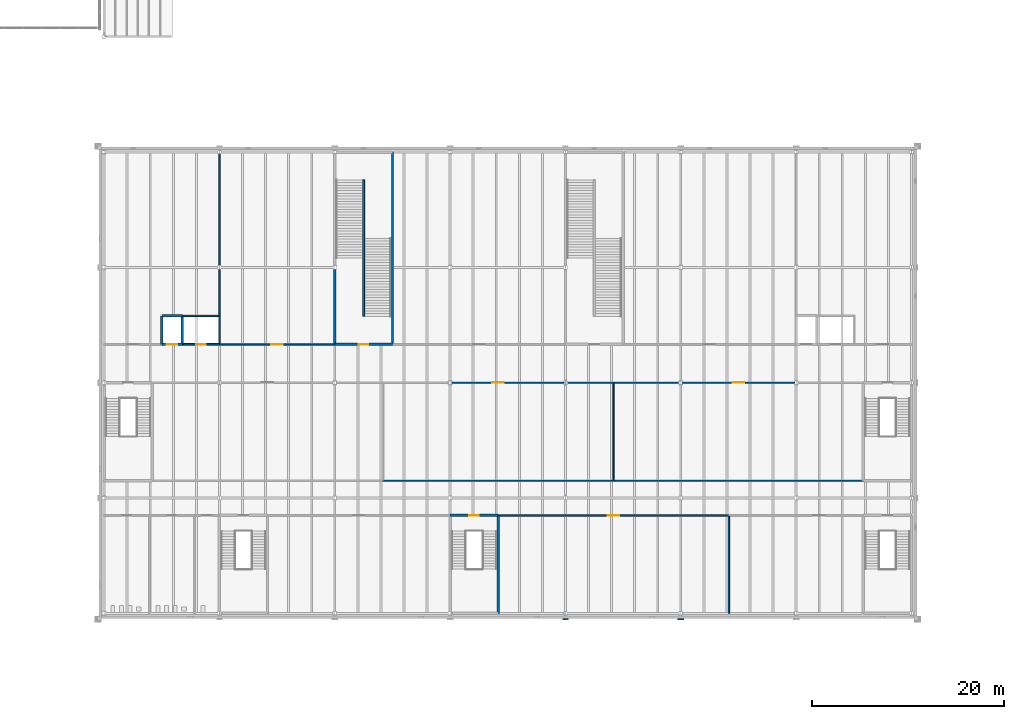
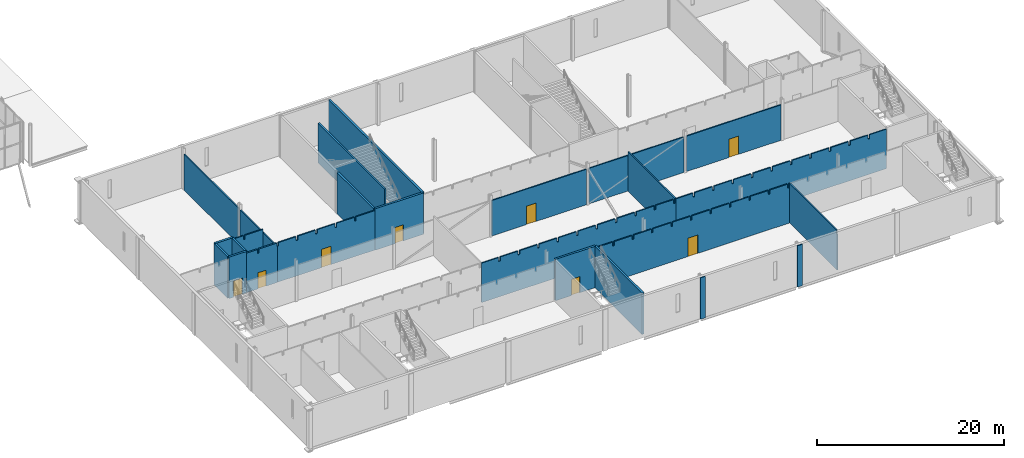
# One storey, part 105 of 170: 27 walls, 8 doors, 8 openings.
"""IFC4 building model written with IfcOpenShell, lengths in metres."""

from ifc_helpers import new_model, si_unit, direction, frame, frame_2d, origin, place, context, subcontext, project, spatial, polyline, rectangle, outline, extrude, material, layer, layer_set, type_object, element, fill, save


model = new_model("IFC4")

# Units and contexts
model_context = context("Model", 3, precision=1e-05, world=origin(), true_north=direction((0.0, 1.0)))
body_context = subcontext(model_context, "Body", "Model", "MODEL_VIEW")
ifc_project = project(units=[si_unit("LENGTHUNIT", "METRE"), si_unit("AREAUNIT", "SQUARE_METRE"), si_unit("VOLUMEUNIT", "CUBIC_METRE"), si_unit("PLANEANGLEUNIT", "RADIAN"), si_unit("MASSUNIT", "GRAM", prefix="KILO")], contexts=[model_context])

# Site, building, storey
site_placement = place(None, origin())
site = spatial("IfcSite", under=ifc_project, at=site_placement, CompositionType="ELEMENT")
building_placement = place(site_placement, origin())
building = spatial("IfcBuilding", under=site, at=building_placement, Name="Ravi Spectrum Wholesale Market", CompositionType="ELEMENT")
storey_placement = place(building_placement, frame((0.0, 0.0, 5.39990234375)))
storey = spatial("IfcBuildingStorey", under=building, at=storey_placement, Name="L01", CompositionType="ELEMENT", Elevation=5.39990234375)

# Wall, opening, door
ifc_material_1 = material(Name="Concrete blockwork", Category="masonry")
ifc_layer_1 = layer(ifc_material_1, 0.199951171875)
ifc_layer_set_1 = layer_set([ifc_layer_1], Name="Concrete blockwork")
wall_type_1 = type_object("IfcWallType", Name="Blockwork partition 200 fire", PredefinedType="PARTITIONING", material=ifc_layer_set_1)
wall_1_placement = place(storey_placement, frame((206.14990234375, 46.0, 0.0), z_axis=(0.0, 0.0, 1.0), x_axis=(1.0, 0.0, 0.0)))
wall_1 = element("IfcWall", 1, at=wall_1_placement, inside=storey, type_object=wall_type_1, Name="CS-WL-L01-102", PredefinedType="PARTITIONING", context=body_context, shape_type="SweptSolid", body=[
    extrude(outline(polyline([(0.0, 0.0), (3.85009765625, 0.0), (3.85009765625, 4.68017578125), (3.7548828125, 4.68017578125), (3.75, 5.150146484375), (1.554931640625, 5.150146484375), (1.550048828125, 4.630126953125), (1.35009765625, 4.630126953125), (1.344970703125, 5.150146484375), (0.0, 5.150146484375), (0.0, 0.0)])), frame((0.0, 0.10009765625, 0.0), z_axis=(0.0, -1.0, 0.0), x_axis=(1.0, 0.0, 0.0)), (0.0, 0.0, 1.0), 0.199951171875),
])
opening_1_placement = place(wall_1_placement, frame((1.425048828125, 0.0, 0.0)))
opening_1 = element("IfcOpeningElement", 2, at=opening_1_placement, cuts=wall_1, Name="Opening D518", PredefinedType="OPENING", context=body_context, shape_type="SweptSolid", body=[
    extrude(rectangle(XDim=1.0, YDim=2.10009765625, at=frame_2d((0.5, 1.050048828125))), frame((0.0, 0.10986328125, 0.0), z_axis=(0.0, -1.0, 0.0), x_axis=(1.0, 0.0, 0.0)), (0.0, 0.0, 1.0), 0.219970703125),
])
ifc_material_2 = material(Name="Steel door", Category="steel")
door_type_1 = type_object("IfcDoorType", Name="Plant room door 1000 x 2100", OperationType="SINGLE_SWING_LEFT", PredefinedType="DOOR", material=ifc_material_2)
door_1_placement = place(opening_1_placement, origin())
door_1 = element("IfcDoor", 3, at=door_1_placement, inside=storey, type_object=door_type_1, Name="Riser access door D518", OperationType="SINGLE_SWING_RIGHT", OverallHeight=2.10009765625, OverallWidth=1.0, PredefinedType="DOOR", context=body_context, shape_type="SweptSolid", body=[
    extrude(rectangle(XDim=1.0, YDim=2.10009765625, at=frame_2d((0.5, 1.050048828125))), frame((0.0, 0.02490234375, 0.0), z_axis=(0.0, -1.0, 0.0), x_axis=(1.0, 0.0, 0.0)), (0.0, 0.0, 1.0), 0.050048828125),
])
fill(opening_1, door_1)

# Walls
ifc_material_3 = material(Name="Facing brickwork", Category="masonry")
ifc_layer_2 = layer(ifc_material_3, 0.114990234375)
ifc_layer_set_2 = layer_set([ifc_layer_2], Name="Facing brickwork")
wall_type_2 = type_object("IfcWallType", Name="Brick pilaster 115", PredefinedType="SOLIDWALL", material=ifc_layer_set_2)
for number, where, z_axis, x_axis, name in (
    (4, (245.699951171875, 17.392578125, 0.0), (0.0, 0.0, 1.0), (1.0, 0.0, 0.0), "CS-WL-L01-063"),
    (5, (257.699951171875, 17.392578125, 0.0), (0.0, 0.0, 1.0), (1.0, 0.0, 0.0), "CS-WL-L01-064"),
):
    element("IfcWall", number, at=place(storey_placement, frame(where, z_axis=z_axis, x_axis=x_axis)), inside=storey, type_object=wall_type_2, Name=name, PredefinedType="SOLIDWALL", context=body_context, shape_type="SweptSolid", body=[
        extrude(rectangle(XDim=0.60009765625, YDim=0.114990234375, at=frame_2d((0.300048828125, 0.0))), origin(), (0.0, 0.0, 1.0), 5.400146484375),
    ])

# Wall, opening, door
ifc_material_4 = material(Name="Insulated panel")
ifc_layer_3 = layer(ifc_material_4, 0.14990234375)
ifc_layer_set_3 = layer_set([ifc_layer_3], Name="Insulated panel")
wall_type_3 = type_object("IfcWallType", Name="Cold store panel 150", PredefinedType="PARTITIONING", material=ifc_layer_set_3)
wall_2_placement = place(storey_placement, frame((239.0, 28.199951171875, 0.0), z_axis=(0.0, 0.0, 1.0), x_axis=(1.0, 0.0, 0.0)))
wall_2 = element("IfcWall", 6, at=wall_2_placement, inside=storey, type_object=wall_type_3, Name="CS-WL-L01-087", PredefinedType="PARTITIONING", context=body_context, shape_type="SweptSolid", body=[
    extrude(outline(polyline([(0.0, 0.0), (24.0, 0.0), (24.0, 5.150146484375), (23.905029296875, 5.150146484375), (23.89990234375, 4.630126953125), (23.699951171875, 4.630126953125), (23.695068359375, 5.150146484375), (21.5048828125, 5.150146484375), (21.5, 4.630126953125), (21.300048828125, 4.630126953125), (21.294921875, 5.150146484375), (19.10009765625, 5.150146484375), (19.094970703125, 4.68017578125), (18.905029296875, 4.68017578125), (18.89990234375, 5.150146484375), (16.705078125, 5.150146484375), (16.699951171875, 4.630126953125), (16.5, 4.630126953125), (16.4951171875, 5.150146484375), (14.304931640625, 5.150146484375), (14.300048828125, 4.630126953125), (14.10009765625, 4.630126953125), (14.094970703125, 5.150146484375), (11.905029296875, 5.150146484375), (11.89990234375, 4.630126953125), (11.699951171875, 4.630126953125), (11.695068359375, 5.150146484375), (9.5048828125, 5.150146484375), (9.5, 4.630126953125), (9.300048828125, 4.630126953125), (9.294921875, 5.150146484375), (7.10009765625, 5.150146484375), (7.094970703125, 4.68017578125), (6.905029296875, 4.68017578125), (6.89990234375, 5.150146484375), (4.705078125, 5.150146484375), (4.699951171875, 4.630126953125), (4.5, 4.630126953125), (4.4951171875, 5.150146484375), (2.304931640625, 5.150146484375), (2.300048828125, 4.630126953125), (2.10009765625, 4.630126953125), (2.094970703125, 5.150146484375), (0.0, 5.150146484375), (0.0, 0.0)])), frame((0.0, 0.074951171875, 0.0), z_axis=(0.0, -1.0, 0.0), x_axis=(1.0, 0.0, 0.0)), (0.0, 0.0, 1.0), 0.14990234375),
])
opening_2_placement = place(wall_2_placement, frame((11.39990234375, 0.0, 0.0)))
opening_2 = element("IfcOpeningElement", 7, at=opening_2_placement, cuts=wall_2, Name="Opening D508", PredefinedType="OPENING", context=body_context, shape_type="SweptSolid", body=[
    extrude(rectangle(XDim=1.199951171875, YDim=2.39990234375, at=frame_2d((0.60009765625, 1.199951171875))), frame((0.0, 0.0849609375, 0.0), z_axis=(0.0, -1.0, 0.0), x_axis=(1.0, 0.0, 0.0)), (0.0, 0.0, 1.0), 0.169921875),
])
ifc_material_5 = material(Name="Insulated panel door")
door_type_2 = type_object("IfcDoorType", Name="Cold store insulated door 1200 x 2400", OperationType="SINGLE_SWING_LEFT", PredefinedType="DOOR", material=ifc_material_5)
door_2_placement = place(opening_2_placement, origin())
door_2 = element("IfcDoor", 8, at=door_2_placement, inside=storey, type_object=door_type_2, Name="Door D508", OperationType="SINGLE_SWING_RIGHT", OverallHeight=2.39990234375, OverallWidth=1.199951171875, PredefinedType="DOOR", context=body_context, shape_type="SweptSolid", body=[
    extrude(rectangle(XDim=1.199951171875, YDim=2.39990234375, at=frame_2d((0.60009765625, 1.199951171875))), frame((0.0, 0.02490234375, 0.0), z_axis=(0.0, -1.0, 0.0), x_axis=(1.0, 0.0, 0.0)), (0.0, 0.0, 1.0), 0.050048828125),
])
fill(opening_2, door_2)

# Walls
wall_3_placement = place(storey_placement, frame((227.0, 31.800048828125, 0.0), z_axis=(0.0, 0.0, 1.0), x_axis=(1.0, 0.0, 0.0)))
element("IfcWall", 9, at=wall_3_placement, inside=storey, type_object=wall_type_3, Name="CS-WL-L01-090", PredefinedType="PARTITIONING", context=body_context, shape_type="SweptSolid", body=[
    extrude(outline(polyline([(0.0, 0.0), (24.0, 0.0), (24.0, 5.150146484375), (23.905029296875, 5.150146484375), (23.89990234375, 4.630126953125), (23.699951171875, 4.630126953125), (23.695068359375, 5.150146484375), (21.5048828125, 5.150146484375), (21.5, 4.630126953125), (21.300048828125, 4.630126953125), (21.294921875, 5.150146484375), (19.10009765625, 5.150146484375), (19.094970703125, 4.68017578125), (18.905029296875, 4.68017578125), (18.89990234375, 5.150146484375), (16.705078125, 5.150146484375), (16.699951171875, 4.630126953125), (16.5, 4.630126953125), (16.4951171875, 5.150146484375), (14.304931640625, 5.150146484375), (14.300048828125, 4.630126953125), (14.10009765625, 4.630126953125), (14.094970703125, 5.150146484375), (11.905029296875, 5.150146484375), (11.89990234375, 4.630126953125), (11.699951171875, 4.630126953125), (11.695068359375, 5.150146484375), (9.5048828125, 5.150146484375), (9.5, 4.630126953125), (9.300048828125, 4.630126953125), (9.294921875, 5.150146484375), (7.10009765625, 5.150146484375), (7.094970703125, 4.68017578125), (6.905029296875, 4.68017578125), (6.89990234375, 5.150146484375), (4.705078125, 5.150146484375), (4.699951171875, 4.630126953125), (4.5, 4.630126953125), (4.4951171875, 5.150146484375), (2.304931640625, 5.150146484375), (2.300048828125, 4.630126953125), (2.10009765625, 4.630126953125), (2.094970703125, 5.150146484375), (0.0, 5.150146484375), (0.0, 0.0)])), frame((0.0, 0.074951171875, 0.0), z_axis=(0.0, -1.0, 0.0), x_axis=(1.0, 0.0, 0.0)), (0.0, 0.0, 1.0), 0.14990234375),
])
wall_4_placement = place(storey_placement, frame((251.0, 31.800048828125, 0.0), z_axis=(0.0, 0.0, 1.0), x_axis=(1.0, 0.0, 0.0)))
element("IfcWall", 10, at=wall_4_placement, inside=storey, type_object=wall_type_3, Name="CS-WL-L01-091", PredefinedType="PARTITIONING", context=body_context, shape_type="SweptSolid", body=[
    extrude(outline(polyline([(0.0, 0.0), (26.0, 0.0), (26.0, 5.150146484375), (23.905029296875, 5.150146484375), (23.89990234375, 4.630126953125), (23.699951171875, 4.630126953125), (23.695068359375, 5.150146484375), (21.5048828125, 5.150146484375), (21.5, 4.630126953125), (21.300048828125, 4.630126953125), (21.294921875, 5.150146484375), (19.10009765625, 5.150146484375), (19.094970703125, 4.68017578125), (18.905029296875, 4.68017578125), (18.89990234375, 5.150146484375), (16.705078125, 5.150146484375), (16.699951171875, 4.630126953125), (16.5, 4.630126953125), (16.4951171875, 5.150146484375), (14.304931640625, 5.150146484375), (14.300048828125, 4.630126953125), (14.10009765625, 4.630126953125), (14.094970703125, 5.150146484375), (11.905029296875, 5.150146484375), (11.89990234375, 4.630126953125), (11.699951171875, 4.630126953125), (11.695068359375, 5.150146484375), (9.5048828125, 5.150146484375), (9.5, 4.630126953125), (9.300048828125, 4.630126953125), (9.294921875, 5.150146484375), (7.10009765625, 5.150146484375), (7.094970703125, 4.68017578125), (6.905029296875, 4.68017578125), (6.89990234375, 5.150146484375), (4.705078125, 5.150146484375), (4.699951171875, 4.630126953125), (4.5, 4.630126953125), (4.4951171875, 5.150146484375), (2.304931640625, 5.150146484375), (2.300048828125, 4.630126953125), (2.10009765625, 4.630126953125), (2.094970703125, 5.150146484375), (0.0, 5.150146484375), (0.0, 0.0)])), frame((0.0, 0.074951171875, 0.0), z_axis=(0.0, -1.0, 0.0), x_axis=(1.0, 0.0, 0.0)), (0.0, 0.0, 1.0), 0.14990234375),
])

# Wall, opening, door
wall_5_placement = place(storey_placement, frame((234.14990234375, 42.0, 0.0), z_axis=(0.0, 0.0, 1.0), x_axis=(1.0, 0.0, 0.0)))
wall_5 = element("IfcWall", 11, at=wall_5_placement, inside=storey, type_object=wall_type_3, Name="CS-WL-L01-096", PredefinedType="PARTITIONING", context=body_context, shape_type="SweptSolid", body=[
    extrude(rectangle(XDim=11.7001953125, YDim=0.14990234375, at=frame_2d((5.85009765625, 0.0))), origin(), (0.0, 0.0, 1.0), 4.630126953125),
])
opening_3_placement = place(wall_5_placement, frame((4.25, 0.0, 0.0)))
opening_3 = element("IfcOpeningElement", 12, at=opening_3_placement, cuts=wall_5, Name="Opening D511", PredefinedType="OPENING", context=body_context, shape_type="SweptSolid", body=[
    extrude(rectangle(XDim=1.199951171875, YDim=2.39990234375, at=frame_2d((0.60009765625, 1.199951171875))), frame((0.0, 0.0849609375, 0.0), z_axis=(0.0, -1.0, 0.0), x_axis=(1.0, 0.0, 0.0)), (0.0, 0.0, 1.0), 0.169921875),
])
door_3_placement = place(opening_3_placement, origin())
door_3 = element("IfcDoor", 13, at=door_3_placement, inside=storey, type_object=door_type_2, Name="Door D511", OperationType="SINGLE_SWING_LEFT", OverallHeight=2.39990234375, OverallWidth=1.199951171875, PredefinedType="DOOR", context=body_context, shape_type="SweptSolid", body=[
    extrude(rectangle(XDim=1.199951171875, YDim=2.39990234375, at=frame_2d((0.60009765625, 1.199951171875))), frame((0.0, 0.02490234375, 0.0), z_axis=(0.0, -1.0, 0.0), x_axis=(1.0, 0.0, 0.0)), (0.0, 0.0, 1.0), 0.050048828125),
])
fill(opening_3, door_3)

# Walls
wall_6_placement = place(storey_placement, frame((246.14990234375, 42.0, 0.0), z_axis=(0.0, 0.0, 1.0), x_axis=(1.0, 0.0, 0.0)))
element("IfcWall", 14, at=wall_6_placement, inside=storey, type_object=wall_type_3, Name="CS-WL-L01-097", PredefinedType="PARTITIONING", context=body_context, shape_type="SweptSolid", body=[
    extrude(rectangle(XDim=4.85009765625, YDim=0.14990234375, at=frame_2d((2.425048828125, 0.0))), origin(), (0.0, 0.0, 1.0), 4.630126953125),
])
wall_7_placement = place(storey_placement, frame((251.0, 42.0, 0.0), z_axis=(0.0, 0.0, 1.0), x_axis=(1.0, 0.0, 0.0)))
element("IfcWall", 15, at=wall_7_placement, inside=storey, type_object=wall_type_3, Name="CS-WL-L01-098", PredefinedType="PARTITIONING", context=body_context, shape_type="SweptSolid", body=[
    extrude(rectangle(XDim=6.85009765625, YDim=0.14990234375, at=frame_2d((3.425048828125, 0.0))), origin(), (0.0, 0.0, 1.0), 4.630126953125),
])

# Wall, opening, door
wall_8_placement = place(storey_placement, frame((258.14990234375, 42.0, 0.0), z_axis=(0.0, 0.0, 1.0), x_axis=(1.0, 0.0, 0.0)))
wall_8 = element("IfcWall", 16, at=wall_8_placement, inside=storey, type_object=wall_type_3, Name="CS-WL-L01-099", PredefinedType="PARTITIONING", context=body_context, shape_type="SweptSolid", body=[
    extrude(rectangle(XDim=11.7001953125, YDim=0.14990234375, at=frame_2d((5.85009765625, 0.0))), origin(), (0.0, 0.0, 1.0), 4.630126953125),
])
opening_4_placement = place(wall_8_placement, frame((5.25, 0.0, 0.0)))
opening_4 = element("IfcOpeningElement", 17, at=opening_4_placement, cuts=wall_8, Name="Opening D512", PredefinedType="OPENING", context=body_context, shape_type="SweptSolid", body=[
    extrude(rectangle(XDim=1.199951171875, YDim=2.39990234375, at=frame_2d((0.60009765625, 1.199951171875))), frame((0.0, 0.0849609375, 0.0), z_axis=(0.0, -1.0, 0.0), x_axis=(1.0, 0.0, 0.0)), (0.0, 0.0, 1.0), 0.169921875),
])
door_4_placement = place(opening_4_placement, origin())
door_4 = element("IfcDoor", 18, at=door_4_placement, inside=storey, type_object=door_type_2, Name="Door D512", OperationType="SINGLE_SWING_LEFT", OverallHeight=2.39990234375, OverallWidth=1.199951171875, PredefinedType="DOOR", context=body_context, shape_type="SweptSolid", body=[
    extrude(rectangle(XDim=1.199951171875, YDim=2.39990234375, at=frame_2d((0.60009765625, 1.199951171875))), frame((0.0, 0.02490234375, 0.0), z_axis=(0.0, -1.0, 0.0), x_axis=(1.0, 0.0, 0.0)), (0.0, 0.0, 1.0), 0.050048828125),
])
fill(opening_4, door_4)

wall_9_placement = place(storey_placement, frame((210.0, 46.0, 0.0), z_axis=(0.0, 0.0, 1.0), x_axis=(1.0, 0.0, 0.0)))
wall_9 = element("IfcWall", 19, at=wall_9_placement, inside=storey, type_object=wall_type_3, Name="CS-WL-L01-103", PredefinedType="PARTITIONING", context=body_context, shape_type="SweptSolid", body=[
    extrude(outline(polyline([(0.0, 0.0), (12.0, 0.0), (12.0, 5.150146484375), (9.705078125, 5.150146484375), (9.699951171875, 4.630126953125), (9.5, 4.630126953125), (9.4951171875, 5.150146484375), (7.304931640625, 5.150146484375), (7.300048828125, 4.630126953125), (7.10009765625, 4.630126953125), (7.094970703125, 5.150146484375), (4.905029296875, 5.150146484375), (4.89990234375, 4.630126953125), (4.699951171875, 4.630126953125), (4.695068359375, 5.150146484375), (2.5048828125, 5.150146484375), (2.5, 4.630126953125), (2.300048828125, 4.630126953125), (2.294921875, 5.150146484375), (0.10009765625, 5.150146484375), (0.094970703125, 4.68017578125), (0.0, 4.68017578125), (0.0, 0.0)])), frame((0.0, 0.074951171875, 0.0), z_axis=(0.0, -1.0, 0.0), x_axis=(1.0, 0.0, 0.0)), (0.0, 0.0, 1.0), 0.14990234375),
])
opening_5_placement = place(wall_9_placement, frame((5.39990234375, 0.0, 0.0)))
opening_5 = element("IfcOpeningElement", 20, at=opening_5_placement, cuts=wall_9, Name="Opening D514", PredefinedType="OPENING", context=body_context, shape_type="SweptSolid", body=[
    extrude(rectangle(XDim=1.199951171875, YDim=2.39990234375, at=frame_2d((0.60009765625, 1.199951171875))), frame((0.0, 0.0849609375, 0.0), z_axis=(0.0, -1.0, 0.0), x_axis=(1.0, 0.0, 0.0)), (0.0, 0.0, 1.0), 0.169921875),
])
door_5_placement = place(opening_5_placement, origin())
door_5 = element("IfcDoor", 21, at=door_5_placement, inside=storey, type_object=door_type_2, Name="Door D514", OperationType="SINGLE_SWING_LEFT", OverallHeight=2.39990234375, OverallWidth=1.199951171875, PredefinedType="DOOR", context=body_context, shape_type="SweptSolid", body=[
    extrude(rectangle(XDim=1.199951171875, YDim=2.39990234375, at=frame_2d((0.60009765625, 1.199951171875))), frame((0.0, 0.02490234375, 0.0), z_axis=(0.0, -1.0, 0.0), x_axis=(1.0, 0.0, 0.0)), (0.0, 0.0, 1.0), 0.050048828125),
])
fill(opening_5, door_5)

# Walls
wall_10_placement = place(storey_placement, frame((206.14990234375, 48.949951171875, 0.0), z_axis=(0.0, 0.0, 1.0), x_axis=(1.0, 0.0, 0.0)))
element("IfcWall", 22, at=wall_10_placement, inside=storey, type_object=wall_type_3, Name="CS-WL-L01-108", PredefinedType="PARTITIONING", context=body_context, shape_type="SweptSolid", body=[
    extrude(outline(polyline([(0.0, 0.0), (3.775146484375, 0.0), (3.77490234375, 4.68017578125), (3.7548828125, 4.68017578125), (3.75, 5.150146484375), (1.554931640625, 5.150146484375), (1.550048828125, 4.630126953125), (1.35009765625, 4.630126953125), (1.344970703125, 5.150146484375), (0.0, 5.150146484375), (0.0, 0.0)])), frame((0.0, 0.074951171875, 0.0), z_axis=(0.0, -1.0, 0.0), x_axis=(1.0, 0.0, 0.0)), (0.0, 0.0, 1.0), 0.14990234375),
])
wall_11_placement = place(storey_placement, frame((210.0, 46.10009765625, 0.0), z_axis=(0.0, 0.0, 1.0), x_axis=(0.0, 1.0, 0.0)))
element("IfcWall", 23, at=wall_11_placement, inside=storey, type_object=wall_type_3, Name="CS-WL-L01-112", PredefinedType="PARTITIONING", context=body_context, shape_type="SweptSolid", body=[
    extrude(rectangle(XDim=2.849853515625, YDim=0.14990234375, at=frame_2d((1.4248046875, 0.0))), origin(), (0.0, 0.0, 1.0), 4.68017578125),
])
wall_12_placement = place(storey_placement, frame((210.0, 48.949951171875, 0.0), z_axis=(0.0, 0.0, 1.0), x_axis=(0.0, 1.0, 0.0)))
element("IfcWall", 24, at=wall_12_placement, inside=storey, type_object=wall_type_3, Name="CS-WL-L01-113", PredefinedType="PARTITIONING", context=body_context, shape_type="SweptSolid", body=[
    extrude(rectangle(XDim=4.85009765625, YDim=0.14990234375, at=frame_2d((2.425048828125, 0.0))), origin(), (0.0, 0.0, 1.0), 4.68017578125),
])
wall_13_placement = place(storey_placement, frame((210.0, 54.199951171875, 0.0), z_axis=(0.0, 0.0, 1.0), x_axis=(0.0, 1.0, 0.0)))
element("IfcWall", 25, at=wall_13_placement, inside=storey, type_object=wall_type_3, Name="CS-WL-L01-114", PredefinedType="PARTITIONING", context=body_context, shape_type="SweptSolid", body=[
    extrude(rectangle(XDim=11.630126953125, YDim=0.14990234375, at=frame_2d((5.81494140625, 0.0))), origin(), (0.0, 0.0, 1.0), 4.68017578125),
])
wall_14_placement = place(storey_placement, frame((251.0, 31.875, 0.0), z_axis=(0.0, 0.0, 1.0), x_axis=(0.0, 1.0, 0.0)))
element("IfcWall", 26, at=wall_14_placement, inside=storey, type_object=wall_type_3, Name="CS-WL-L01-116", PredefinedType="PARTITIONING", context=body_context, shape_type="SweptSolid", body=[
    extrude(outline(polyline([(0.0, 0.0), (10.050048828125, 0.0), (10.050048828125, 4.630126953125), (10.02490234375, 4.630126953125), (10.02001953125, 5.150146484375), (0.0, 5.150146484375), (0.0, 0.0)])), frame((0.0, 0.074951171875, 0.0), z_axis=(0.0, -1.0, 0.0), x_axis=(1.0, 0.0, 0.0)), (0.0, 0.0, 1.0), 0.14990234375),
])
wall_15_placement = place(storey_placement, frame((263.0, 18.0, 0.0), z_axis=(0.0, 0.0, 1.0), x_axis=(0.0, 1.0, 0.0)))
element("IfcWall", 27, at=wall_15_placement, inside=storey, type_object=wall_type_3, Name="CS-WL-L01-117", PredefinedType="PARTITIONING", context=body_context, shape_type="SweptSolid", body=[
    extrude(outline(polyline([(0.0, 0.0), (10.125, 0.0), (10.125, 5.150146484375), (0.10498046875, 5.150146484375), (0.10009765625, 4.630126953125), (0.0, 4.630126953125), (0.0, 0.0)])), frame((0.0, 0.074951171875, 0.0), z_axis=(0.0, -1.0, 0.0), x_axis=(1.0, 0.0, 0.0)), (0.0, 0.0, 1.0), 0.14990234375),
])

# Wall, opening, door
ifc_material_6 = material(Name="Concrete C35/45", Category="concrete")
ifc_layer_4 = layer(ifc_material_6, 0.25)
ifc_layer_set_4 = layer_set([ifc_layer_4], Name="Concrete C35/45")
wall_type_4 = type_object("IfcWallType", Name="Concrete core wall 250", PredefinedType="SHEAR", material=ifc_layer_set_4)
wall_16_placement = place(storey_placement, frame((222.0, 46.0, 0.0), z_axis=(0.0, 0.0, 1.0), x_axis=(1.0, 0.0, 0.0)))
wall_16 = element("IfcWall", 28, at=wall_16_placement, inside=storey, type_object=wall_type_4, Name="Stair core wall Stair S-CS-3", PredefinedType="SHEAR", context=body_context, shape_type="SweptSolid", body=[
    extrude(rectangle(XDim=6.0, YDim=0.25, at=frame_2d((3.0, 0.0))), origin(), (0.0, 0.0, 1.0), 5.400146484375),
])
opening_6_placement = place(wall_16_placement, frame((2.5, 0.0, 0.0)))
opening_6 = element("IfcOpeningElement", 29, at=opening_6_placement, cuts=wall_16, Name="Opening D497", PredefinedType="OPENING", context=body_context, shape_type="SweptSolid", body=[
    extrude(rectangle(XDim=1.0, YDim=2.10009765625, at=frame_2d((0.5, 1.050048828125))), frame((0.0, 0.135009765625, 0.0), z_axis=(0.0, -1.0, 0.0), x_axis=(1.0, 0.0, 0.0)), (0.0, 0.0, 1.0), 0.27001953125),
])
ifc_material_7 = material(Name="Steel door", Category="steel")
door_type_3 = type_object("IfcDoorType", Name="Stair door 1000 x 2100", OperationType="SINGLE_SWING_LEFT", PredefinedType="DOOR", material=ifc_material_7)
door_6_placement = place(opening_6_placement, origin())
door_6 = element("IfcDoor", 30, at=door_6_placement, inside=storey, type_object=door_type_3, Name="Door D497", OperationType="SINGLE_SWING_RIGHT", OverallHeight=2.10009765625, OverallWidth=1.0, PredefinedType="DOOR", context=body_context, shape_type="SweptSolid", body=[
    extrude(rectangle(XDim=1.0, YDim=2.10009765625, at=frame_2d((0.5, 1.050048828125))), frame((0.0, 0.02490234375, 0.0), z_axis=(0.0, -1.0, 0.0), x_axis=(1.0, 0.0, 0.0)), (0.0, 0.0, 1.0), 0.050048828125),
])
fill(opening_6, door_6)

# Walls
wall_17_placement = place(storey_placement, frame((228.0, 46.0, 0.0), z_axis=(0.0, 0.0, 1.0), x_axis=(0.0, 1.0, 0.0)))
element("IfcWall", 31, at=wall_17_placement, inside=storey, type_object=wall_type_4, Name="Stair core wall Stair S-CS-3", PredefinedType="SHEAR", context=body_context, shape_type="SweptSolid", body=[
    extrude(rectangle(XDim=20.0, YDim=0.25, at=frame_2d((10.0, 0.0))), origin(), (0.0, 0.0, 1.0), 5.400146484375),
])
wall_18_placement = place(storey_placement, frame((222.0, 46.0, 0.0), z_axis=(0.0, 0.0, 1.0), x_axis=(0.0, 1.0, 0.0)))
element("IfcWall", 32, at=wall_18_placement, inside=storey, type_object=wall_type_4, Name="Stair core wall Stair S-CS-3", PredefinedType="SHEAR", context=body_context, shape_type="SweptSolid", body=[
    extrude(rectangle(XDim=7.800048828125, YDim=0.25, at=frame_2d((3.89990234375, 0.0))), origin(), (0.0, 0.0, 1.0), 5.400146484375),
])
wall_19_placement = place(storey_placement, frame((239.0, 18.0, 0.0), z_axis=(0.0, 0.0, 1.0), x_axis=(0.0, 1.0, 0.0)))
element("IfcWall", 33, at=wall_19_placement, inside=storey, type_object=wall_type_4, Name="Stair core wall Stair S-CS-4", PredefinedType="SHEAR", context=body_context, shape_type="SweptSolid", body=[
    extrude(rectangle(XDim=10.199951171875, YDim=0.25, at=frame_2d((5.10009765625, 0.0))), origin(), (0.0, 0.0, 1.0), 5.400146484375),
])

# Wall, opening, door
wall_20_placement = place(storey_placement, frame((234.0, 28.199951171875, 0.0), z_axis=(0.0, 0.0, 1.0), x_axis=(1.0, 0.0, 0.0)))
wall_20 = element("IfcWall", 34, at=wall_20_placement, inside=storey, type_object=wall_type_4, Name="Stair core wall Stair S-CS-4", PredefinedType="SHEAR", context=body_context, shape_type="SweptSolid", body=[
    extrude(rectangle(XDim=5.0, YDim=0.25, at=frame_2d((2.5, 0.0))), origin(), (0.0, 0.0, 1.0), 5.400146484375),
])
opening_7_placement = place(wall_20_placement, frame((2.0, 0.0, 0.0)))
opening_7 = element("IfcOpeningElement", 35, at=opening_7_placement, cuts=wall_20, Name="Opening D499", PredefinedType="OPENING", context=body_context, shape_type="SweptSolid", body=[
    extrude(rectangle(XDim=1.0, YDim=2.10009765625, at=frame_2d((0.5, 1.050048828125))), frame((0.0, 0.135009765625, 0.0), z_axis=(0.0, -1.0, 0.0), x_axis=(1.0, 0.0, 0.0)), (0.0, 0.0, 1.0), 0.27001953125),
])
door_7_placement = place(opening_7_placement, origin())
door_7 = element("IfcDoor", 36, at=door_7_placement, inside=storey, type_object=door_type_3, Name="Door D499", OperationType="SINGLE_SWING_RIGHT", OverallHeight=2.10009765625, OverallWidth=1.0, PredefinedType="DOOR", context=body_context, shape_type="SweptSolid", body=[
    extrude(rectangle(XDim=1.0, YDim=2.10009765625, at=frame_2d((0.5, 1.050048828125))), frame((0.0, 0.02490234375, 0.0), z_axis=(0.0, -1.0, 0.0), x_axis=(1.0, 0.0, 0.0)), (0.0, 0.0, 1.0), 0.050048828125),
])
fill(opening_7, door_7)

# Walls
ifc_material_8 = material(Name="Concrete C35/45", Category="concrete")
ifc_layer_5 = layer(ifc_material_8, 0.199951171875)
ifc_layer_set_5 = layer_set([ifc_layer_5], Name="Concrete C35/45")
wall_type_5 = type_object("IfcWallType", Name="Concrete stair divider 200", PredefinedType="SHEAR", material=ifc_layer_set_5)
wall_21_placement = place(storey_placement, frame((225.0, 48.89990234375, 0.0), z_axis=(0.0, 0.0, 1.0), x_axis=(0.0, 1.0, 0.0)))
element("IfcWall", 37, at=wall_21_placement, inside=storey, type_object=wall_type_5, Name="Stair divider wall S-CS-3", PredefinedType="SHEAR", context=body_context, shape_type="SweptSolid", body=[
    extrude(rectangle(XDim=14.2001953125, YDim=0.199951171875, at=frame_2d((7.10009765625, 0.0))), origin(), (0.0, 0.0, 1.0), 5.150146484375),
])
ifc_material_9 = material(Name="Concrete C35/45", Category="concrete")
ifc_layer_6 = layer(ifc_material_9, 0.25)
ifc_layer_set_6 = layer_set([ifc_layer_6], Name="Concrete C35/45")
wall_type_6 = type_object("IfcWallType", Name="Shaft wall 250", PredefinedType="SHEAR", material=ifc_layer_set_6)
wall_22_placement = place(storey_placement, frame((206.14990234375, 46.0, 0.0), z_axis=(0.0, 0.0, 1.0), x_axis=(0.0, 1.0, 0.0)))
element("IfcWall", 38, at=wall_22_placement, inside=storey, type_object=wall_type_6, Name="CS-WL-L01-LF-CS-1-E", PredefinedType="SHEAR", context=body_context, shape_type="SweptSolid", body=[
    extrude(rectangle(XDim=2.949951171875, YDim=0.25, at=frame_2d((1.47509765625, 0.0))), origin(), (0.0, 0.0, 1.0), 5.400146484375),
])
wall_23_placement = place(storey_placement, frame((206.14990234375, 48.949951171875, 0.0), z_axis=(0.0, 0.0, 1.0), x_axis=(-1.0, 0.0, 0.0)))
element("IfcWall", 39, at=wall_23_placement, inside=storey, type_object=wall_type_6, Name="CS-WL-L01-LF-CS-1-N", PredefinedType="SHEAR", context=body_context, shape_type="SweptSolid", body=[
    extrude(rectangle(XDim=2.14990234375, YDim=0.25, at=frame_2d((1.074951171875, 0.0))), origin(), (0.0, 0.0, 1.0), 5.400146484375),
])

# Wall, opening, door
wall_24_placement = place(storey_placement, frame((204.0, 46.0, 0.0), z_axis=(0.0, 0.0, 1.0), x_axis=(1.0, 0.0, 0.0)))
wall_24 = element("IfcWall", 40, at=wall_24_placement, inside=storey, type_object=wall_type_6, Name="CS-WL-L01-LF-CS-1-S", PredefinedType="SHEAR", context=body_context, shape_type="SweptSolid", body=[
    extrude(rectangle(XDim=2.14990234375, YDim=0.25, at=frame_2d((1.074951171875, 0.0))), origin(), (0.0, 0.0, 1.0), 5.400146484375),
])
opening_8_placement = place(wall_24_placement, frame((0.52490234375, 0.0, 0.0)))
opening_8 = element("IfcOpeningElement", 41, at=opening_8_placement, cuts=wall_24, Name="Opening D502", PredefinedType="OPENING", context=body_context, shape_type="SweptSolid", body=[
    extrude(rectangle(XDim=1.10009765625, YDim=2.10009765625, at=frame_2d((0.550048828125, 1.050048828125))), frame((0.0, 0.135009765625, 0.0), z_axis=(0.0, -1.0, 0.0), x_axis=(1.0, 0.0, 0.0)), (0.0, 0.0, 1.0), 0.27001953125),
])
ifc_material_10 = material(Name="Stainless steel door", Category="steel")
door_type_4 = type_object("IfcDoorType", Name="Lift landing door 1100 x 2100", OperationType="SLIDING_TO_LEFT", PredefinedType="DOOR", material=ifc_material_10)
door_8_placement = place(opening_8_placement, origin())
door_8 = element("IfcDoor", 42, at=door_8_placement, inside=storey, type_object=door_type_4, Name="Landing door LF-CS-1 L01", OperationType="SLIDING_TO_LEFT", OverallHeight=2.10009765625, OverallWidth=1.10009765625, PredefinedType="DOOR", context=body_context, shape_type="SweptSolid", body=[
    extrude(rectangle(XDim=1.10009765625, YDim=2.10009765625, at=frame_2d((0.550048828125, 1.050048828125))), frame((0.0, 0.02490234375, 0.0), z_axis=(0.0, -1.0, 0.0), x_axis=(1.0, 0.0, 0.0)), (0.0, 0.0, 1.0), 0.050048828125),
])
fill(opening_8, door_8)

# Wall
wall_25_placement = place(storey_placement, frame((204.0, 48.949951171875, 0.0), z_axis=(0.0, 0.0, 1.0), x_axis=(0.0, -1.0, 0.0)))
element("IfcWall", 43, at=wall_25_placement, inside=storey, type_object=wall_type_6, Name="CS-WL-L01-LF-CS-1-W", PredefinedType="SHEAR", context=body_context, shape_type="SweptSolid", body=[
    extrude(rectangle(XDim=2.949951171875, YDim=0.25, at=frame_2d((1.47509765625, 0.0))), origin(), (0.0, 0.0, 1.0), 5.400146484375),
])

save(model, "model.ifc")
